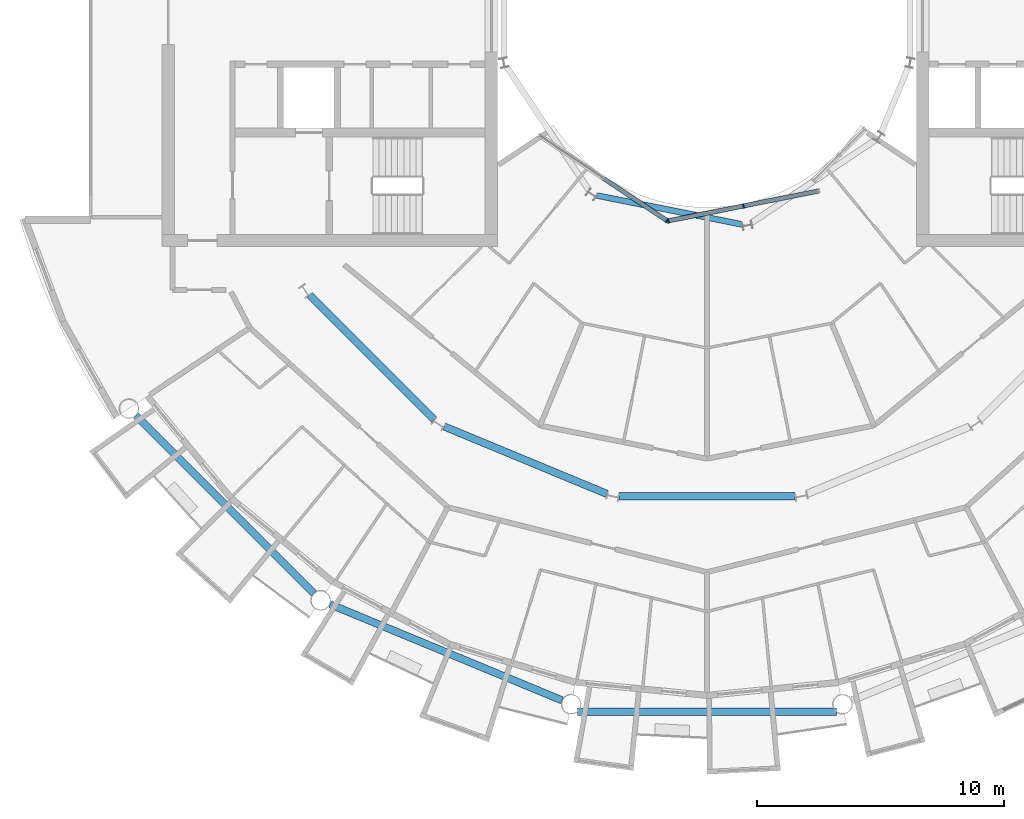
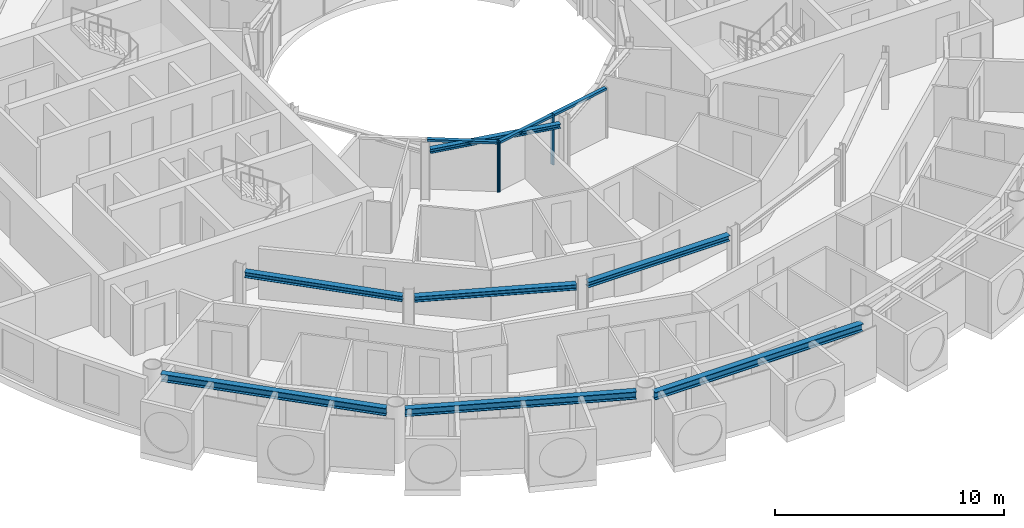
# One storey, part 5 of 26: 7 beams, 6 members, 2 elements without a shape of their own.
"""IFC4 building model written with IfcOpenShell, lengths in metres."""

import ifcopenshell
import ifcopenshell.guid

model = None  # the IFC model being written
_history = None  # IfcOwnerHistory: only IFC2X3 demands one
_inside = {}  # id of a spatial element -> (the spatial element, [elements in it])
_under = {}  # id of a project, library or spatial element -> (it, [spatial elements below it])
_declared = {}  # id of a project -> (the project, [libraries it declares])
_typed = {}  # id of a type object -> (the type object, [elements of that type])
_made_of = {}  # id of a material, layer set ... -> (it, [elements and type objects made of it])


def new_model(schema):
    """Start an empty IFC model of exactly this schema.

    Asked for "IFC4X3", IfcOpenShell would pick the latest addendum, in which some entities
    have other attributes; the version numbers below select the first issue.
    IFC2X3 requires an IfcOwnerHistory on every rooted entity: one is made here for all.
    """
    global model, _history
    if schema == "IFC4X3":
        model = ifcopenshell.file(schema_version=(4, 3, 0, 0))
    else:
        model = ifcopenshell.file(schema=schema)
    _inside.clear()
    _under.clear()
    _declared.clear()
    _typed.clear()
    _made_of.clear()
    _history = None
    if model.schema == "IFC2X3":
        org = make("IfcOrganization", Name="unknown")
        user = make(
            "IfcPersonAndOrganization",
            ThePerson=make("IfcPerson", FamilyName="unknown"),
            TheOrganization=org,
        )
        app = make(
            "IfcApplication",
            ApplicationDeveloper=org,
            Version="unknown",
            ApplicationFullName="unknown",
            ApplicationIdentifier="unknown",
        )
        _history = make(
            "IfcOwnerHistory",
            OwningUser=user,
            OwningApplication=app,
            ChangeAction="ADDED",
            CreationDate=0,
        )
    return model


def make(cls, **values):
    """One entity of the class cls with the attributes given. An attribute that is None is left unset."""
    return model.create_entity(
        cls, **{name: value for name, value in values.items() if value is not None}
    )


def rooted(cls, **values):
    """An entity with a GlobalId (a new one), such as an element, a storey or a relation."""
    return make(cls, GlobalId=ifcopenshell.guid.new(), OwnerHistory=_history, **values)


def si_unit(unit_type, name, prefix=None):
    """IfcSIUnit, for example si_unit("LENGTHUNIT", "METRE", prefix="MILLI")."""
    return make("IfcSIUnit", UnitType=unit_type, Prefix=prefix, Name=name)


def assignment(units):
    """IfcUnitAssignment: the units of a project."""
    return None if units is None else make("IfcUnitAssignment", Units=units)


def point(xyz):
    """IfcCartesianPoint."""
    return None if xyz is None else make("IfcCartesianPoint", Coordinates=xyz)


def direction(xyz):
    """IfcDirection."""
    return None if xyz is None else make("IfcDirection", DirectionRatios=xyz)


def frame(location, z_axis=None, x_axis=None):
    """IfcAxis2Placement3D, a coordinate frame: its origin and axes. An axis left out is left unset."""
    return make(
        "IfcAxis2Placement3D",
        Location=point(location),
        Axis=direction(z_axis),
        RefDirection=direction(x_axis),
    )


def frame_2d(location, x_axis=None):
    """IfcAxis2Placement2D, a coordinate frame in the plane: its origin and x axis."""
    return make(
        "IfcAxis2Placement2D", Location=point(location), RefDirection=direction(x_axis)
    )


def origin():
    """The frame at (0, 0, 0) with its axes left unset."""
    return frame((0.0, 0.0, 0.0))


def origin_2d():
    """The frame at (0, 0) in the plane with its x axis left unset."""
    return frame_2d((0.0, 0.0))


def place(relative_to, where):
    """IfcLocalPlacement: puts the frame where relative to a parent placement (None: the world)."""
    return make(
        "IfcLocalPlacement", PlacementRelTo=relative_to, RelativePlacement=where
    )


def context(
    kind, dimensions, precision=None, world=None, true_north=None, identifier=None
):
    """IfcGeometricRepresentationContext, for example the 3D "Model" context."""
    return make(
        "IfcGeometricRepresentationContext",
        ContextIdentifier=identifier,
        ContextType=kind,
        CoordinateSpaceDimension=dimensions,
        Precision=precision,
        WorldCoordinateSystem=world,
        TrueNorth=true_north,
    )


def subcontext(parent, identifier, kind, view, scale=None):
    """IfcGeometricRepresentationSubContext, for example "Body" below "Model"."""
    return make(
        "IfcGeometricRepresentationSubContext",
        ContextIdentifier=identifier,
        ContextType=kind,
        ParentContext=parent,
        TargetScale=scale,
        TargetView=view,
    )


def project(units=None, contexts=None):
    """IfcProject with its units and contexts."""
    return rooted(
        "IfcProject",
        Name="project",
        RepresentationContexts=contexts,
        UnitsInContext=assignment(units),
    )


def spatial(cls, under=None, at=None, **own):
    """A site, building, storey or space (cls), placed at a placement, below another one or the project."""
    s = rooted(cls, ObjectPlacement=at, **own)
    if under is not None:
        _under.setdefault(under.id(), (under, []))[1].append(s)
    return s


def profile(cls, at=None, kind="AREA", **sizes):
    """A parametric profile (cls). Its sizes go by their IFC names, for example OverallWidth=200.0."""
    return make(cls, ProfileType=kind, Position=at, **sizes)


def rectangle(**sizes):
    """IfcRectangleProfileDef."""
    return profile("IfcRectangleProfileDef", **sizes)


def i_section(**sizes):
    """IfcIShapeProfileDef."""
    return profile("IfcIShapeProfileDef", **sizes)


def extrude(swept, where, along, depth):
    """IfcExtrudedAreaSolid: the profile swept, set in the frame where, extruded along a direction by depth."""
    return make(
        "IfcExtrudedAreaSolid",
        SweptArea=swept,
        Position=where,
        ExtrudedDirection=direction(along),
        Depth=depth,
    )


def shape(context_of_items, identifier, shape_type, items):
    """IfcShapeRepresentation: the items that make up one representation, for example the "Body"."""
    return make(
        "IfcShapeRepresentation",
        ContextOfItems=context_of_items,
        RepresentationIdentifier=identifier,
        RepresentationType=shape_type,
        Items=items,
    )


def material(Name=None, Category=None):
    """IfcMaterial."""
    return make("IfcMaterial", Name=Name, Category=Category)


def layer(
    of_material, thickness, ventilated=None, Name=None, Category=None, Priority=None
):
    """IfcMaterialLayer: one layer of a wall or slab, of a material (None: an air gap)."""
    return make(
        "IfcMaterialLayer",
        Material=of_material,
        LayerThickness=thickness,
        IsVentilated=ventilated,
        Name=Name,
        Category=Category,
        Priority=Priority,
    )


def layer_set(layers, Name=None):
    """IfcMaterialLayerSet."""
    return make("IfcMaterialLayerSet", MaterialLayers=layers, LayerSetName=Name)


def material_profile(
    of_material, cross_section, Name=None, Category=None, Priority=None
):
    """IfcMaterialProfile: a cross section and its material."""
    return make(
        "IfcMaterialProfile",
        Name=Name,
        Material=of_material,
        Profile=cross_section,
        Priority=Priority,
        Category=Category,
    )


def profile_set(profiles, Name=None, composite=None):
    """IfcMaterialProfileSet."""
    return make(
        "IfcMaterialProfileSet",
        Name=Name,
        MaterialProfiles=profiles,
        CompositeProfile=composite,
    )


def made_of(thing, what):
    """Note that an element or type object is made of a material, layer set ...; save() writes the relation."""
    if what is not None:
        _made_of.setdefault(what.id(), (what, []))[1].append(thing)
    return thing


def type_object(cls, material=None, **own):
    """A type object (cls), such as IfcWallType, which elements share."""
    return made_of(rooted(cls, **own), material)


def element(
    cls,
    number,
    at=None,
    inside=None,
    cuts=None,
    type_object=None,
    material=None,
    context=None,
    identifier="Body",
    shape_type=None,
    held_by="IfcProductDefinitionShape",
    body=None,
    shapes=None,
    **own,
):
    """One element of the class cls, such as IfcWall. Its Tag is "e" and its number.

    at: its placement. inside: the storey or other place that contains it. cuts: it is an
    opening in that element (IfcRelVoidsElement). A single representation is given by context,
    identifier, shape_type and body (its items); several are given by shapes. held_by: the class
    of the entity that holds the representations. save() writes the other relations.
    """
    e = rooted(cls, Tag="e%d" % number, ObjectPlacement=at, **own)
    if body is not None:
        shapes = [shape(context, identifier, shape_type, body)]
    if shapes is not None:
        e.Representation = make(held_by, Representations=shapes)
    if inside is not None:
        _inside.setdefault(inside.id(), (inside, []))[1].append(e)
    if cuts is not None:
        rooted(
            "IfcRelVoidsElement", RelatingBuildingElement=cuts, RelatedOpeningElement=e
        )
    if type_object is not None:
        _typed.setdefault(type_object.id(), (type_object, []))[1].append(e)
    return made_of(e, material)


def aggregate(whole, parts):
    """IfcRelAggregates: a whole, such as a stair, and the parts it consists of."""
    return rooted("IfcRelAggregates", RelatingObject=whole, RelatedObjects=parts)


def save(model, path):
    """Write the relations noted so far, then the file.

    IfcRelAggregates (storeys below a building ...), IfcRelContainedInSpatialStructure (elements
    in a storey), IfcRelDefinesByType, IfcRelAssociatesMaterial and IfcRelDeclares: one each for
    every whole, place, type object, material and project.
    """
    for whole, parts in _under.values():
        aggregate(whole, parts)
    for where, things in _inside.values():
        rooted(
            "IfcRelContainedInSpatialStructure",
            RelatedElements=things,
            RelatingStructure=where,
        )
    for kind, things in _typed.values():
        rooted("IfcRelDefinesByType", RelatedObjects=things, RelatingType=kind)
    for what, things in _made_of.values():
        rooted("IfcRelAssociatesMaterial", RelatedObjects=things, RelatingMaterial=what)
    for by, libraries in _declared.values():
        rooted("IfcRelDeclares", RelatingContext=by, RelatedDefinitions=libraries)
    model.write(path)


model = new_model("IFC4")

# Units and contexts
model_context = context("Model", 3, precision=1e-05, world=origin(), true_north=direction((0.0, 1.0)))
body_context = subcontext(model_context, "Body", "Model", "MODEL_VIEW")
ifc_project = project(units=[si_unit("LENGTHUNIT", "METRE"), si_unit("AREAUNIT", "SQUARE_METRE"), si_unit("VOLUMEUNIT", "CUBIC_METRE"), si_unit("PLANEANGLEUNIT", "RADIAN"), si_unit("MASSUNIT", "GRAM", prefix="KILO")], contexts=[model_context])

# Site, building, storey
site_placement = place(None, origin())
site = spatial("IfcSite", under=ifc_project, at=site_placement, CompositionType="ELEMENT")
building_placement = place(site_placement, origin())
building = spatial("IfcBuilding", under=site, at=building_placement, Name="Maasbend Ring Residences", CompositionType="ELEMENT")
storey_placement = place(building_placement, frame((0.0, 0.0, 161.60009765625)))
storey = spatial("IfcBuildingStorey", under=building, at=storey_placement, Name="L46", CompositionType="ELEMENT", Elevation=161.60009765625)

# Curtain wall, member
ifc_material_1 = material(Name="Aluminium and clear glass", Category="aluminium")
ifc_layer = layer(ifc_material_1, 0.179931640625)
ifc_layer_set = layer_set([ifc_layer], Name="CW-W")
curtain_wall_type = type_object("IfcCurtainWallType", Name="CW-W", PredefinedType="NOTDEFINED", material=ifc_layer_set)
curtain_wall_1_placement = place(storey_placement, origin())
curtain_wall_1 = element("IfcCurtainWall", 1, at=curtain_wall_1_placement, inside=storey, type_object=curtain_wall_type, Name="Well curtain wall S1", PredefinedType="NOTDEFINED")
ifc_material_2 = material(Name="Aluminium 6063-T6", Category="aluminium")
ifc_material_profile_1 = material_profile(ifc_material_2, rectangle(XDim=0.179931640625, YDim=0.06005859375, at=origin_2d()), Name="AL 180x60")
ifc_profile_set_1 = profile_set([ifc_material_profile_1], Name="Aluminium 6063-T6")
member_type_1 = type_object("IfcMemberType", Name="CWM-W", PredefinedType="MULLION", material=ifc_profile_set_1)
member_1_placement = place(storey_placement, frame((-1.627685546875, -8.040771484375, 0.0), z_axis=(0.0, 0.0, 1.0), x_axis=(0.55557023302, 0.831469612303, 0.0)))
member_1 = element("IfcMember", 2, at=member_1_placement, type_object=member_type_1, Name="Mullion well face", PredefinedType="MULLION", context=body_context, shape_type="SweptSolid", body=[
    extrude(rectangle(XDim=0.179931640625, YDim=0.06005859375, at=origin_2d()), origin(), (0.0, 0.0, 1.0), 2.699951171875),
])

# Curtain wall, members
curtain_wall_2_placement = place(storey_placement, origin())
curtain_wall_2 = element("IfcCurtainWall", 3, at=curtain_wall_2_placement, inside=storey, type_object=curtain_wall_type, Name="Well curtain wall S2", PredefinedType="NOTDEFINED")
member_2_placement = place(storey_placement, frame((-1.5732421875, -8.0517578125, 0.0), z_axis=(0.0, 0.0, 1.0), x_axis=(-0.195090322016, 0.980785280403, 0.0)))
member_2 = element("IfcMember", 4, at=member_2_placement, type_object=member_type_1, Name="Mullion well face", PredefinedType="MULLION", context=body_context, shape_type="SweptSolid", body=[
    extrude(rectangle(XDim=0.179931640625, YDim=0.06005859375, at=origin_2d()), origin(), (0.0, 0.0, 1.0), 2.699951171875),
])
member_3_placement = place(storey_placement, frame((1.480712890625, -7.444091796875, 0.0), z_axis=(0.0, 0.0, 1.0), x_axis=(-0.195090322016, 0.980785280403, 0.0)))
member_3 = element("IfcMember", 5, at=member_3_placement, type_object=member_type_1, Name="Mullion well face", PredefinedType="MULLION", context=body_context, shape_type="SweptSolid", body=[
    extrude(rectangle(XDim=0.179931640625, YDim=0.06005859375, at=origin_2d()), origin(), (0.0, 0.0, 1.0), 2.699951171875),
])

# Member
ifc_material_3 = material(Name="Aluminium 6063-T6", Category="aluminium")
ifc_material_profile_2 = material_profile(ifc_material_3, rectangle(XDim=0.179931640625, YDim=0.1201171875, at=origin_2d()), Name="AL 180x120")
ifc_profile_set_2 = profile_set([ifc_material_profile_2], Name="Aluminium 6063-T6")
member_type_2 = type_object("IfcMemberType", Name="CWT-W", PredefinedType="USERDEFINED", material=ifc_profile_set_2)
member_4_placement = place(storey_placement, frame((-4.19189453125, -6.32763671875, 2.639892578125), z_axis=(0.831496422459, -0.555530106689, 0.0), x_axis=(0.555530106689, 0.831496422459, 0.0)))
member_4 = element("IfcMember", 6, at=member_4_placement, type_object=member_type_2, Name="Transom well face", ObjectType="TRANSOM", PredefinedType="USERDEFINED", context=body_context, shape_type="SweptSolid", body=[
    extrude(rectangle(XDim=0.179931640625, YDim=0.1201171875, at=origin_2d()), origin(), (0.0, 0.0, 1.0), 3.053955078125),
])

aggregate(curtain_wall_1, [member_1, member_4])

member_5_placement = place(storey_placement, frame((-1.5439453125, -8.0458984375, 2.639892578125), z_axis=(0.980776956105, 0.195132166424, 0.0), x_axis=(-0.195132166424, 0.980776956105, 0.0)))
member_5 = element("IfcMember", 7, at=member_5_placement, type_object=member_type_2, Name="Transom well face", ObjectType="TRANSOM", PredefinedType="USERDEFINED", context=body_context, shape_type="SweptSolid", body=[
    extrude(rectangle(XDim=0.179931640625, YDim=0.1201171875, at=origin_2d()), origin(), (0.0, 0.0, 1.0), 3.053955078125),
])

member_6_placement = place(storey_placement, frame((1.51025390625, -7.438232421875, 2.639892578125), z_axis=(0.980789210404, 0.19507056353, 0.0), x_axis=(-0.19507056353, 0.980789210404, 0.0)))
member_6 = element("IfcMember", 8, at=member_6_placement, type_object=member_type_2, Name="Transom well face", ObjectType="TRANSOM", PredefinedType="USERDEFINED", context=body_context, shape_type="SweptSolid", body=[
    extrude(rectangle(XDim=0.179931640625, YDim=0.1201171875, at=origin_2d()), origin(), (0.0, 0.0, 1.0), 3.0537109375),
])

aggregate(curtain_wall_2, [member_2, member_3, member_5, member_6])

# Beams
ifc_material_4 = material(Name="Steel S355J2", Category="steel")
ifc_material_profile_3 = material_profile(ifc_material_4, i_section(OverallWidth=0.300048828125, OverallDepth=0.2900390625, WebThickness=0.008544921875, FlangeThickness=0.013916015625, FilletRadius=0.027099609375, at=origin_2d()), Name="HEA 300")
ifc_profile_set_3 = profile_set([ifc_material_profile_3], Name="Steel S355J2")
beam_type_1 = type_object("IfcBeamType", Name="Corridor ring beam HEA 300", PredefinedType="BEAM", material=ifc_profile_set_3)
for number, where, z_axis, x_axis, name in (
    (9, (-16.11669921875, -11.0693359375, 2.554931640625), (0.707106781187, -0.707106781187, 0.0), (0.707106781187, 0.707106781187, 0.0), "Corridor ring beam"),
    (10, (-10.65380859375, -16.394287109375, 2.554931640625), (0.923871339849, -0.382703210602, 0.0), (0.382703210602, 0.923871339849, 0.0), "Corridor ring beam"),
):
    element("IfcBeam", number, at=place(storey_placement, frame(where, z_axis=z_axis, x_axis=x_axis)), inside=storey, type_object=beam_type_1, Name=name, PredefinedType="BEAM", context=body_context, shape_type="SweptSolid", body=[
        extrude(i_section(OverallWidth=0.300048828125, OverallDepth=0.2900390625, WebThickness=0.008544921875, FlangeThickness=0.013916015625, FilletRadius=0.027099609375, at=origin_2d()), origin(), (0.0, 0.0, 1.0), 7.137939453125),
    ])
beam_1_placement = place(storey_placement, frame((-3.56884765625, -19.223388671875, 2.554931640625), z_axis=(1.0, 0.0, 0.0), x_axis=(0.0, 1.0, 0.0)))
element("IfcBeam", 11, at=beam_1_placement, inside=storey, type_object=beam_type_1, Name="Corridor ring beam", PredefinedType="BEAM", context=body_context, shape_type="SweptSolid", body=[
    extrude(i_section(OverallWidth=0.300048828125, OverallDepth=0.2900390625, WebThickness=0.008544921875, FlangeThickness=0.013916015625, FilletRadius=0.027099609375, at=origin_2d()), origin(), (0.0, 0.0, 1.0), 7.1376953125),
])
ifc_material_5 = material(Name="Steel S355J2", Category="steel")
ifc_material_profile_4 = material_profile(ifc_material_5, i_section(OverallWidth=0.300048828125, OverallDepth=0.39990234375, WebThickness=0.013427734375, FlangeThickness=0.02392578125, FilletRadius=0.027099609375, at=origin_2d()), Name="HEB 400")
ifc_profile_set_4 = profile_set([ifc_material_profile_4], Name="Steel S355J2")
beam_type_2 = type_object("IfcBeamType", Name="Spandrel ring beam HEB 400", PredefinedType="SPANDREL", material=ifc_profile_set_4)
for number, where, z_axis, x_axis, name in (
    (12, (-23.159912109375, -15.95458984375, 2.5), (0.707106781187, -0.707106781187, 0.0), (0.707106781187, 0.707106781187, 0.0), "Spandrel ring beam"),
    (13, (-15.29150390625, -23.60302734375, 2.5), (0.923883676188, -0.382673428492, 0.0), (0.382673428492, 0.923883676188, 0.0), "Spandrel ring beam"),
):
    element("IfcBeam", number, at=place(storey_placement, frame(where, z_axis=z_axis, x_axis=x_axis)), inside=storey, type_object=beam_type_2, Name=name, PredefinedType="SPANDREL", context=body_context, shape_type="SweptSolid", body=[
        extrude(i_section(OverallWidth=0.300048828125, OverallDepth=0.39990234375, WebThickness=0.013427734375, FlangeThickness=0.02392578125, FilletRadius=0.027099609375, at=origin_2d()), origin(), (0.0, 0.0, 1.0), 10.18994140625),
    ])
beam_2_placement = place(storey_placement, frame((-5.2451171875, -27.9580078125, 2.5), z_axis=(1.0, 0.0, 0.0), x_axis=(0.0, 1.0, 0.0)))
element("IfcBeam", 14, at=beam_2_placement, inside=storey, type_object=beam_type_2, Name="Spandrel ring beam", PredefinedType="SPANDREL", context=body_context, shape_type="SweptSolid", body=[
    extrude(i_section(OverallWidth=0.300048828125, OverallDepth=0.39990234375, WebThickness=0.013427734375, FlangeThickness=0.02392578125, FilletRadius=0.027099609375, at=origin_2d()), origin(), (0.0, 0.0, 1.0), 10.490234375),
])
ifc_material_6 = material(Name="Steel S355J2", Category="steel")
ifc_material_profile_5 = material_profile(ifc_material_6, i_section(OverallWidth=0.239990234375, OverallDepth=0.22998046875, WebThickness=0.007568359375, FlangeThickness=0.011962890625, FilletRadius=0.02099609375, at=origin_2d()), Name="HEA 240")
ifc_profile_set_5 = profile_set([ifc_material_profile_5], Name="Steel S355J2")
beam_type_3 = type_object("IfcBeamType", Name="Well edge beam HEA 240", PredefinedType="BEAM", material=ifc_profile_set_5)
beam_3_placement = place(storey_placement, frame((-4.459716796875, -7.025390625, 2.5849609375), z_axis=(0.980778695042, -0.195123425945, 0.0), x_axis=(0.195123425945, 0.980778695042, 0.0)))
element("IfcBeam", 15, at=beam_3_placement, inside=storey, type_object=beam_type_3, Name="Well edge beam", PredefinedType="BEAM", context=body_context, shape_type="SweptSolid", body=[
    extrude(i_section(OverallWidth=0.239990234375, OverallDepth=0.22998046875, WebThickness=0.007568359375, FlangeThickness=0.011962890625, FilletRadius=0.02099609375, at=origin_2d()), origin(), (0.0, 0.0, 1.0), 6.007080078125),
])

save(model, "model.ifc")
